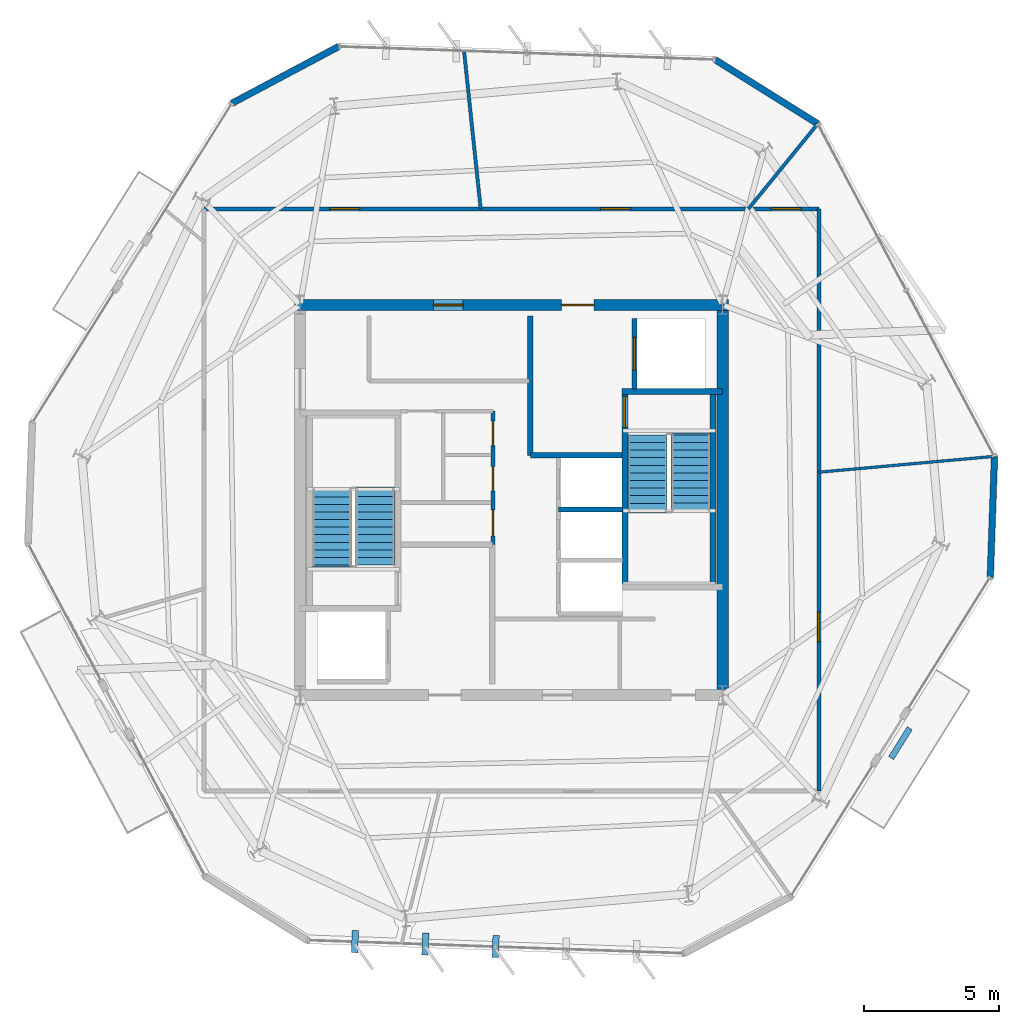
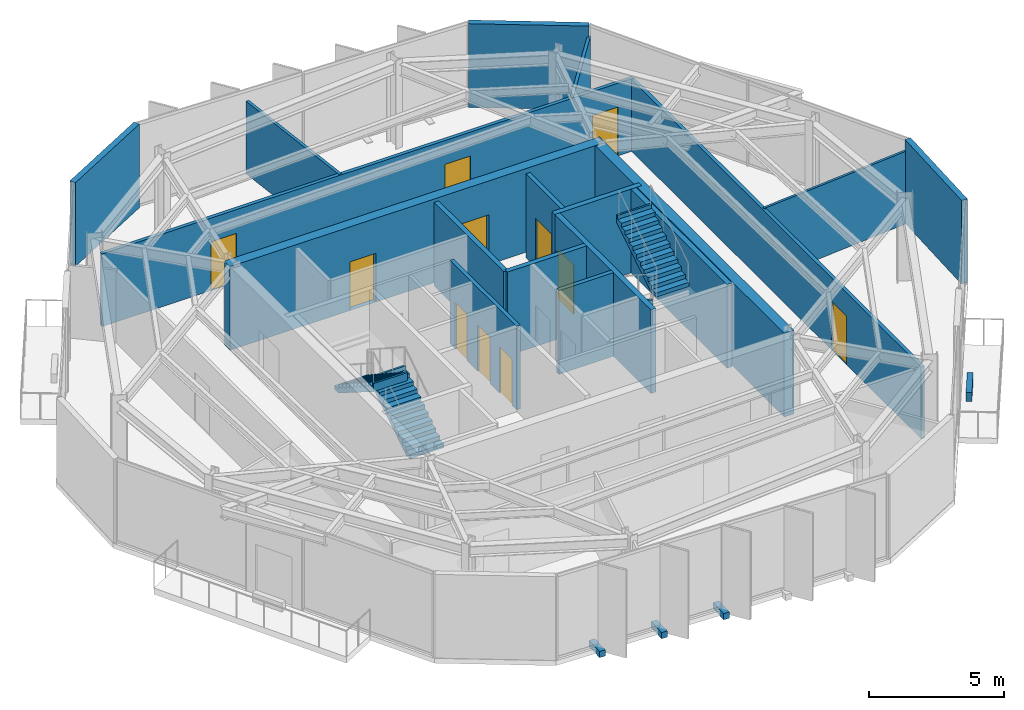
# One storey, part 8 of 12: 19 walls, 11 doors, 4 stair flights, 3 discrete accessories, 11 openings, 2 elements without a shape of their own.
"""IFC4 building model written with IfcOpenShell, lengths in metres."""

import ifcopenshell
import ifcopenshell.guid

model = None  # the IFC model being written
_history = None  # IfcOwnerHistory: only IFC2X3 demands one
_inside = {}  # id of a spatial element -> (the spatial element, [elements in it])
_under = {}  # id of a project, library or spatial element -> (it, [spatial elements below it])
_declared = {}  # id of a project -> (the project, [libraries it declares])
_typed = {}  # id of a type object -> (the type object, [elements of that type])
_made_of = {}  # id of a material, layer set ... -> (it, [elements and type objects made of it])


def new_model(schema):
    """Start an empty IFC model of exactly this schema.

    Asked for "IFC4X3", IfcOpenShell would pick the latest addendum, in which some entities
    have other attributes; the version numbers below select the first issue.
    IFC2X3 requires an IfcOwnerHistory on every rooted entity: one is made here for all.
    """
    global model, _history
    if schema == "IFC4X3":
        model = ifcopenshell.file(schema_version=(4, 3, 0, 0))
    else:
        model = ifcopenshell.file(schema=schema)
    _inside.clear()
    _under.clear()
    _declared.clear()
    _typed.clear()
    _made_of.clear()
    _history = None
    if model.schema == "IFC2X3":
        org = make("IfcOrganization", Name="unknown")
        user = make(
            "IfcPersonAndOrganization",
            ThePerson=make("IfcPerson", FamilyName="unknown"),
            TheOrganization=org,
        )
        app = make(
            "IfcApplication",
            ApplicationDeveloper=org,
            Version="unknown",
            ApplicationFullName="unknown",
            ApplicationIdentifier="unknown",
        )
        _history = make(
            "IfcOwnerHistory",
            OwningUser=user,
            OwningApplication=app,
            ChangeAction="ADDED",
            CreationDate=0,
        )
    return model


def make(cls, **values):
    """One entity of the class cls with the attributes given. An attribute that is None is left unset."""
    return model.create_entity(
        cls, **{name: value for name, value in values.items() if value is not None}
    )


def rooted(cls, **values):
    """An entity with a GlobalId (a new one), such as an element, a storey or a relation."""
    return make(cls, GlobalId=ifcopenshell.guid.new(), OwnerHistory=_history, **values)


def si_unit(unit_type, name, prefix=None):
    """IfcSIUnit, for example si_unit("LENGTHUNIT", "METRE", prefix="MILLI")."""
    return make("IfcSIUnit", UnitType=unit_type, Prefix=prefix, Name=name)


def assignment(units):
    """IfcUnitAssignment: the units of a project."""
    return None if units is None else make("IfcUnitAssignment", Units=units)


def point(xyz):
    """IfcCartesianPoint."""
    return None if xyz is None else make("IfcCartesianPoint", Coordinates=xyz)


def direction(xyz):
    """IfcDirection."""
    return None if xyz is None else make("IfcDirection", DirectionRatios=xyz)


def frame(location, z_axis=None, x_axis=None):
    """IfcAxis2Placement3D, a coordinate frame: its origin and axes. An axis left out is left unset."""
    return make(
        "IfcAxis2Placement3D",
        Location=point(location),
        Axis=direction(z_axis),
        RefDirection=direction(x_axis),
    )


def frame_2d(location, x_axis=None):
    """IfcAxis2Placement2D, a coordinate frame in the plane: its origin and x axis."""
    return make(
        "IfcAxis2Placement2D", Location=point(location), RefDirection=direction(x_axis)
    )


def origin():
    """The frame at (0, 0, 0) with its axes left unset."""
    return frame((0.0, 0.0, 0.0))


def origin_2d():
    """The frame at (0, 0) in the plane with its x axis left unset."""
    return frame_2d((0.0, 0.0))


def place(relative_to, where):
    """IfcLocalPlacement: puts the frame where relative to a parent placement (None: the world)."""
    return make(
        "IfcLocalPlacement", PlacementRelTo=relative_to, RelativePlacement=where
    )


def context(
    kind, dimensions, precision=None, world=None, true_north=None, identifier=None
):
    """IfcGeometricRepresentationContext, for example the 3D "Model" context."""
    return make(
        "IfcGeometricRepresentationContext",
        ContextIdentifier=identifier,
        ContextType=kind,
        CoordinateSpaceDimension=dimensions,
        Precision=precision,
        WorldCoordinateSystem=world,
        TrueNorth=true_north,
    )


def subcontext(parent, identifier, kind, view, scale=None):
    """IfcGeometricRepresentationSubContext, for example "Body" below "Model"."""
    return make(
        "IfcGeometricRepresentationSubContext",
        ContextIdentifier=identifier,
        ContextType=kind,
        ParentContext=parent,
        TargetScale=scale,
        TargetView=view,
    )


def project(units=None, contexts=None):
    """IfcProject with its units and contexts."""
    return rooted(
        "IfcProject",
        Name="project",
        RepresentationContexts=contexts,
        UnitsInContext=assignment(units),
    )


def spatial(cls, under=None, at=None, **own):
    """A site, building, storey or space (cls), placed at a placement, below another one or the project."""
    s = rooted(cls, ObjectPlacement=at, **own)
    if under is not None:
        _under.setdefault(under.id(), (under, []))[1].append(s)
    return s


def polyline(points):
    """IfcPolyline through the points."""
    return make("IfcPolyline", Points=[point(p) for p in points])


def profile(cls, at=None, kind="AREA", **sizes):
    """A parametric profile (cls). Its sizes go by their IFC names, for example OverallWidth=200.0."""
    return make(cls, ProfileType=kind, Position=at, **sizes)


def rectangle(**sizes):
    """IfcRectangleProfileDef."""
    return profile("IfcRectangleProfileDef", **sizes)


def outline(outer, holes=None, kind="AREA"):
    """IfcArbitraryClosedProfileDef: a profile drawn as a closed curve; with holes, ...WithVoids."""
    if holes is None:
        return make("IfcArbitraryClosedProfileDef", ProfileType=kind, OuterCurve=outer)
    return make(
        "IfcArbitraryProfileDefWithVoids",
        ProfileType=kind,
        OuterCurve=outer,
        InnerCurves=holes,
    )


def extrude(swept, where, along, depth):
    """IfcExtrudedAreaSolid: the profile swept, set in the frame where, extruded along a direction by depth."""
    return make(
        "IfcExtrudedAreaSolid",
        SweptArea=swept,
        Position=where,
        ExtrudedDirection=direction(along),
        Depth=depth,
    )


def shape(context_of_items, identifier, shape_type, items):
    """IfcShapeRepresentation: the items that make up one representation, for example the "Body"."""
    return make(
        "IfcShapeRepresentation",
        ContextOfItems=context_of_items,
        RepresentationIdentifier=identifier,
        RepresentationType=shape_type,
        Items=items,
    )


def material(Name=None, Category=None):
    """IfcMaterial."""
    return make("IfcMaterial", Name=Name, Category=Category)


def layer(
    of_material, thickness, ventilated=None, Name=None, Category=None, Priority=None
):
    """IfcMaterialLayer: one layer of a wall or slab, of a material (None: an air gap)."""
    return make(
        "IfcMaterialLayer",
        Material=of_material,
        LayerThickness=thickness,
        IsVentilated=ventilated,
        Name=Name,
        Category=Category,
        Priority=Priority,
    )


def layer_set(layers, Name=None):
    """IfcMaterialLayerSet."""
    return make("IfcMaterialLayerSet", MaterialLayers=layers, LayerSetName=Name)


def made_of(thing, what):
    """Note that an element or type object is made of a material, layer set ...; save() writes the relation."""
    if what is not None:
        _made_of.setdefault(what.id(), (what, []))[1].append(thing)
    return thing


def type_object(cls, material=None, **own):
    """A type object (cls), such as IfcWallType, which elements share."""
    return made_of(rooted(cls, **own), material)


def element(
    cls,
    number,
    at=None,
    inside=None,
    cuts=None,
    type_object=None,
    material=None,
    context=None,
    identifier="Body",
    shape_type=None,
    held_by="IfcProductDefinitionShape",
    body=None,
    shapes=None,
    **own,
):
    """One element of the class cls, such as IfcWall. Its Tag is "e" and its number.

    at: its placement. inside: the storey or other place that contains it. cuts: it is an
    opening in that element (IfcRelVoidsElement). A single representation is given by context,
    identifier, shape_type and body (its items); several are given by shapes. held_by: the class
    of the entity that holds the representations. save() writes the other relations.
    """
    e = rooted(cls, Tag="e%d" % number, ObjectPlacement=at, **own)
    if body is not None:
        shapes = [shape(context, identifier, shape_type, body)]
    if shapes is not None:
        e.Representation = make(held_by, Representations=shapes)
    if inside is not None:
        _inside.setdefault(inside.id(), (inside, []))[1].append(e)
    if cuts is not None:
        rooted(
            "IfcRelVoidsElement", RelatingBuildingElement=cuts, RelatedOpeningElement=e
        )
    if type_object is not None:
        _typed.setdefault(type_object.id(), (type_object, []))[1].append(e)
    return made_of(e, material)


def fill(opening, filler):
    """IfcRelFillsElement: the door or window that sits in an opening."""
    return rooted(
        "IfcRelFillsElement",
        RelatingOpeningElement=opening,
        RelatedBuildingElement=filler,
    )


def aggregate(whole, parts):
    """IfcRelAggregates: a whole, such as a stair, and the parts it consists of."""
    return rooted("IfcRelAggregates", RelatingObject=whole, RelatedObjects=parts)


def save(model, path):
    """Write the relations noted so far, then the file.

    IfcRelAggregates (storeys below a building ...), IfcRelContainedInSpatialStructure (elements
    in a storey), IfcRelDefinesByType, IfcRelAssociatesMaterial and IfcRelDeclares: one each for
    every whole, place, type object, material and project.
    """
    for whole, parts in _under.values():
        aggregate(whole, parts)
    for where, things in _inside.values():
        rooted(
            "IfcRelContainedInSpatialStructure",
            RelatedElements=things,
            RelatingStructure=where,
        )
    for kind, things in _typed.values():
        rooted("IfcRelDefinesByType", RelatedObjects=things, RelatingType=kind)
    for what, things in _made_of.values():
        rooted("IfcRelAssociatesMaterial", RelatedObjects=things, RelatingMaterial=what)
    for by, libraries in _declared.values():
        rooted("IfcRelDeclares", RelatingContext=by, RelatedDefinitions=libraries)
    model.write(path)


model = new_model("IFC4")

# Units and contexts
model_context = context("Model", 3, precision=1e-05, world=origin(), true_north=direction((0.0, 1.0)))
body_context = subcontext(model_context, "Body", "Model", "MODEL_VIEW")
ifc_project = project(units=[si_unit("LENGTHUNIT", "METRE"), si_unit("AREAUNIT", "SQUARE_METRE"), si_unit("VOLUMEUNIT", "CUBIC_METRE"), si_unit("PLANEANGLEUNIT", "RADIAN"), si_unit("MASSUNIT", "GRAM", prefix="KILO")], contexts=[model_context])

# Site, building, storey
site_placement = place(None, origin())
site = spatial("IfcSite", under=ifc_project, at=site_placement, CompositionType="ELEMENT")
building_placement = place(site_placement, origin())
building = spatial("IfcBuilding", under=site, at=building_placement, Name="Kranzbogen Civic Tower", CompositionType="ELEMENT")
storey_placement = place(building_placement, frame((0.0, 0.0, 258.199951171875)))
storey = spatial("IfcBuildingStorey", under=building, at=storey_placement, Name="L62", CompositionType="ELEMENT", Elevation=258.199951171875)

# Wall, openings, doors
ifc_material_1 = material(Name="Double-Stud Acoustic Gypsum Partition")
ifc_layer_1 = layer(ifc_material_1, 0.14990234375, Name="Double-Stud Acoustic Gypsum Partition")
ifc_layer_set_1 = layer_set([ifc_layer_1], Name="Double-Stud Acoustic Gypsum Partition")
wall_type_1 = type_object("IfcWallType", Name="Acoustic Corridor and Clinical Partition 150 mm", PredefinedType="PARTITIONING", material=ifc_layer_set_1)
wall_1_placement = place(storey_placement, frame((13.64990234375, 35.75, 0.0), z_axis=(0.0, 0.0, 1.0), x_axis=(1.0, 0.0, 0.0)))
wall_1 = element("IfcWall", 1, at=wall_1_placement, inside=storey, type_object=wall_type_1, Name="L62 corridor partition 01", PredefinedType="PARTITIONING", context=body_context, shape_type="SweptSolid", body=[
    extrude(rectangle(XDim=22.7001953125, YDim=0.14990234375, at=frame_2d((11.35009765625, 0.0))), origin(), (0.0, 0.0, 1.0), 3.280029296875),
])
opening_1_placement = place(wall_1_placement, frame((20.949951171875, 0.0, 0.0)))
opening_1 = element("IfcOpeningElement", 2, at=opening_1_placement, cuts=wall_1, Name="Opening D-COR60", PredefinedType="OPENING", context=body_context, shape_type="SweptSolid", body=[
    extrude(rectangle(XDim=1.10009765625, YDim=2.199951171875, at=frame_2d((0.550048828125, 1.10009765625))), frame((0.0, 0.0849609375, 0.0), z_axis=(0.0, -1.0, 0.0), x_axis=(1.0, 0.0, 0.0)), (0.0, 0.0, 1.0), 0.169921875),
])
opening_2_placement = place(wall_1_placement, frame((14.64404296875, 0.0, 0.0)))
opening_2 = element("IfcOpeningElement", 3, at=opening_2_placement, cuts=wall_1, Name="Opening D-COR60", PredefinedType="OPENING", context=body_context, shape_type="SweptSolid", body=[
    extrude(rectangle(XDim=1.10009765625, YDim=2.199951171875, at=frame_2d((0.550048828125, 1.10009765625))), frame((0.0, 0.0849609375, 0.0), z_axis=(0.0, -1.0, 0.0), x_axis=(1.0, 0.0, 0.0)), (0.0, 0.0, 1.0), 0.169921875),
])
opening_3_placement = place(wall_1_placement, frame((4.64892578125, 0.0, 0.0)))
opening_3 = element("IfcOpeningElement", 4, at=opening_3_placement, cuts=wall_1, Name="Opening D-COR60", PredefinedType="OPENING", context=body_context, shape_type="SweptSolid", body=[
    extrude(rectangle(XDim=1.10009765625, YDim=2.199951171875, at=frame_2d((0.550048828125, 1.10009765625))), frame((0.0, 0.0849609375, 0.0), z_axis=(0.0, -1.0, 0.0), x_axis=(1.0, 0.0, 0.0)), (0.0, 0.0, 1.0), 0.169921875),
])
ifc_material_2 = material(Name="Oak Timber and Fire Core", Category="wood")
door_type_1 = type_object("IfcDoorType", Name="Corridor Acoustic Fire Door 1100x2200", OperationType="NOTDEFINED", PredefinedType="DOOR", material=ifc_material_2)
door_1_placement = place(opening_1_placement, origin())
door_1 = element("IfcDoor", 5, at=door_1_placement, inside=storey, type_object=door_type_1, Name="L62 Staff Tea Pantry door", OperationType="SINGLE_SWING_LEFT", OverallHeight=2.199951171875, OverallWidth=1.10009765625, PredefinedType="DOOR", context=body_context, shape_type="SweptSolid", body=[
    extrude(rectangle(XDim=1.10009765625, YDim=2.199951171875, at=frame_2d((0.550048828125, 1.10009765625))), frame((0.0, 0.02490234375, 0.0), z_axis=(0.0, -1.0, 0.0), x_axis=(1.0, 0.0, 0.0)), (0.0, 0.0, 1.0), 0.050048828125),
])
fill(opening_1, door_1)
door_2_placement = place(opening_2_placement, origin())
door_2 = element("IfcDoor", 6, at=door_2_placement, inside=storey, type_object=door_type_1, Name="L62 Hospitality Catering Kitchen door", OperationType="SINGLE_SWING_RIGHT", OverallHeight=2.199951171875, OverallWidth=1.10009765625, PredefinedType="DOOR", context=body_context, shape_type="SweptSolid", body=[
    extrude(rectangle(XDim=1.10009765625, YDim=2.199951171875, at=frame_2d((0.550048828125, 1.10009765625))), frame((0.0, 0.02490234375, 0.0), z_axis=(0.0, -1.0, 0.0), x_axis=(1.0, 0.0, 0.0)), (0.0, 0.0, 1.0), 0.050048828125),
])
fill(opening_2, door_2)
door_3_placement = place(opening_3_placement, origin())
door_3 = element("IfcDoor", 7, at=door_3_placement, inside=storey, type_object=door_type_1, Name="L62 Refreshment Galley Pantry door", OperationType="SINGLE_SWING_LEFT", OverallHeight=2.199951171875, OverallWidth=1.10009765625, PredefinedType="DOOR", context=body_context, shape_type="SweptSolid", body=[
    extrude(rectangle(XDim=1.10009765625, YDim=2.199951171875, at=frame_2d((0.550048828125, 1.10009765625))), frame((0.0, 0.02490234375, 0.0), z_axis=(0.0, -1.0, 0.0), x_axis=(1.0, 0.0, 0.0)), (0.0, 0.0, 1.0), 0.050048828125),
])
fill(opening_3, door_3)

# Wall, opening, door
wall_2_placement = place(storey_placement, frame((36.35009765625, 35.75, 0.0), z_axis=(0.0, 0.0, 1.0), x_axis=(0.0, -1.0, 0.0)))
wall_2 = element("IfcWall", 8, at=wall_2_placement, inside=storey, type_object=wall_type_1, Name="L62 corridor partition 02", PredefinedType="PARTITIONING", context=body_context, shape_type="SweptSolid", body=[
    extrude(rectangle(XDim=21.5, YDim=0.14990234375, at=frame_2d((10.75, 0.0))), origin(), (0.0, 0.0, 1.0), 3.25),
])
opening_4_placement = place(wall_2_placement, frame((14.8759765625, 0.0, 0.0)))
opening_4 = element("IfcOpeningElement", 9, at=opening_4_placement, cuts=wall_2, Name="Opening D-COR60", PredefinedType="OPENING", context=body_context, shape_type="SweptSolid", body=[
    extrude(rectangle(XDim=1.10009765625, YDim=2.199951171875, at=frame_2d((0.550048828125, 1.10009765625))), frame((0.0, 0.0849609375, 0.0), z_axis=(0.0, -1.0, 0.0), x_axis=(1.0, 0.0, 0.0)), (0.0, 0.0, 1.0), 0.169921875),
])
door_4_placement = place(opening_4_placement, origin())
door_4 = element("IfcDoor", 10, at=door_4_placement, inside=storey, type_object=door_type_1, Name="L62 Protocol Entrance Reception door", OperationType="SINGLE_SWING_RIGHT", OverallHeight=2.199951171875, OverallWidth=1.10009765625, PredefinedType="DOOR", context=body_context, shape_type="SweptSolid", body=[
    extrude(rectangle(XDim=1.10009765625, YDim=2.199951171875, at=frame_2d((0.550048828125, 1.10009765625))), frame((0.0, 0.02490234375, 0.0), z_axis=(0.0, -1.0, 0.0), x_axis=(1.0, 0.0, 0.0)), (0.0, 0.0, 1.0), 0.050048828125),
])
fill(opening_4, door_4)

# Walls
ifc_material_3 = material(Name="Insulated Metal-Stud Gypsum Partition")
ifc_layer_2 = layer(ifc_material_3, 0.125, Name="Insulated Metal-Stud Gypsum Partition")
ifc_layer_set_2 = layer_set([ifc_layer_2], Name="Insulated Metal-Stud Gypsum Partition")
wall_type_2 = type_object("IfcWallType", Name="Acoustic Inter-Room Partition 125 mm", PredefinedType="PARTITIONING", material=ifc_layer_set_2)
wall_3_placement = place(storey_placement, frame((23.868896484375, 35.75, 0.0), z_axis=(0.0, 0.0, 1.0), x_axis=(-0.104723940422, 0.994501330468, 0.0)))
element("IfcWall", 11, at=wall_3_placement, inside=storey, type_object=wall_type_2, Name="L62 radial room partition 01", PredefinedType="PARTITIONING", context=body_context, shape_type="SweptSolid", body=[
    extrude(rectangle(XDim=5.84228515625, YDim=0.125, at=frame_2d((2.921142578125, 0.0))), origin(), (0.0, 0.0, 1.0), 3.280029296875),
])
wall_4_placement = place(storey_placement, frame((33.756103515625, 35.75, 0.0), z_axis=(0.0, 0.0, 1.0), x_axis=(0.631532584773, 0.775349336989, 0.0)))
element("IfcWall", 12, at=wall_4_placement, inside=storey, type_object=wall_type_2, Name="L62 radial room partition 07", PredefinedType="PARTITIONING", context=body_context, shape_type="SweptSolid", body=[
    extrude(rectangle(XDim=4.026611328125, YDim=0.125, at=frame_2d((2.01318359375, 0.0))), origin(), (0.0, 0.0, 1.0), 3.280029296875),
])
ifc_material_4 = material(Name="Architectural Precast Terracotta Concrete C40/50", Category="masonry")
ifc_layer_3 = layer(ifc_material_4, 0.219970703125, Name="Architectural Precast Terracotta Concrete C40/50")
ifc_layer_set_3 = layer_set([ifc_layer_3], Name="Architectural Precast Terracotta Concrete C40/50")
wall_type_3 = type_object("IfcWallType", Name="Architectural Tree Planter Kerb Wall 220 mm", PredefinedType="USERDEFINED", material=ifc_layer_set_3)
wall_5_placement = place(storey_placement, frame((39.02001953125, 15.472900390625, 0.0), z_axis=(0.0, 0.0, 1.0), x_axis=(0.52955968417, 0.848272680747, 0.0)))
element("IfcWall", 13, at=wall_5_placement, inside=storey, type_object=wall_type_3, Name="L62 landscaped tree balcony planter L62-TB1", ObjectType="PLANTER_WALL", PredefinedType="USERDEFINED", context=body_context, shape_type="SweptSolid", body=[
    extrude(rectangle(XDim=1.299072265625, YDim=0.219970703125, at=frame_2d((0.6494140625, 0.0))), origin(), (0.0, 0.0, 1.0), 0.400146484375),
])

# Wall, openings, doors
ifc_material_5 = material(Name="Concrete C45/55", Category="concrete")
ifc_layer_4 = layer(ifc_material_5, 0.419921875, Name="Concrete C45/55")
ifc_layer_set_4 = layer_set([ifc_layer_4], Name="Concrete C45/55")
wall_type_4 = type_object("IfcWallType", Name="Central Core Shear Wall 420 mm", PredefinedType="SHEAR", material=ifc_layer_set_4)
wall_6_placement = place(storey_placement, frame((33.010009765625, 32.199951171875, 0.0), z_axis=(0.0, 0.0, 1.0), x_axis=(-1.0, 0.0, 0.0)))
wall_6 = element("IfcWall", 14, at=wall_6_placement, inside=storey, type_object=wall_type_4, Name="L62 central core North shear wall", PredefinedType="SHEAR", context=body_context, shape_type="SweptSolid", body=[
    extrude(rectangle(XDim=16.02001953125, YDim=0.419921875, at=frame_2d((8.010009765625, 0.0))), origin(), (0.0, 0.0, 1.0), 3.780029296875),
])
opening_5_placement = place(wall_6_placement, frame((4.9599609375, 0.0, 0.0)))
opening_5 = element("IfcOpeningElement", 15, at=opening_5_placement, cuts=wall_6, Name="Opening D-EX120", PredefinedType="OPENING", context=body_context, shape_type="SweptSolid", body=[
    extrude(rectangle(XDim=1.199951171875, YDim=2.25, at=frame_2d((0.60009765625, 1.125))), frame((0.0, 0.219970703125, 0.0), z_axis=(0.0, -1.0, 0.0), x_axis=(1.0, 0.0, 0.0)), (0.0, 0.0, 1.0), 0.43994140625),
])
opening_6_placement = place(wall_6_placement, frame((9.784912109375, 0.0, 0.0)))
opening_6 = element("IfcOpeningElement", 16, at=opening_6_placement, cuts=wall_6, Name="Opening D-COR60", PredefinedType="OPENING", context=body_context, shape_type="SweptSolid", body=[
    extrude(rectangle(XDim=1.10009765625, YDim=2.199951171875, at=frame_2d((0.550048828125, 1.10009765625))), frame((0.0, 0.219970703125, 0.0), z_axis=(0.0, -1.0, 0.0), x_axis=(1.0, 0.0, 0.0)), (0.0, 0.0, 1.0), 0.43994140625),
])
door_5_placement = place(opening_6_placement, origin())
door_5 = element("IfcDoor", 17, at=door_5_placement, inside=storey, type_object=door_type_1, Name="L62 DAT1 comms room door", OperationType="SINGLE_SWING_LEFT", OverallHeight=2.199951171875, OverallWidth=1.10009765625, PredefinedType="DOOR", context=body_context, shape_type="SweptSolid", body=[
    extrude(rectangle(XDim=1.10009765625, YDim=2.199951171875, at=frame_2d((0.550048828125, 1.10009765625))), frame((0.0, 0.02490234375, 0.0), z_axis=(0.0, -1.0, 0.0), x_axis=(1.0, 0.0, 0.0)), (0.0, 0.0, 1.0), 0.050048828125),
])
fill(opening_6, door_5)
ifc_material_6 = material(Name="Steel S355", Category="steel")
door_type_2 = type_object("IfcDoorType", Name="Exit Passageway Fire Door 1200x2250", OperationType="NOTDEFINED", PredefinedType="DOOR", material=ifc_material_6)
door_6_placement = place(opening_5_placement, origin())
door_6 = element("IfcDoor", 18, at=door_6_placement, inside=storey, type_object=door_type_2, Name="L62 East firefighting lobby corridor door", OperationType="SINGLE_SWING_RIGHT", OverallHeight=2.25, OverallWidth=1.199951171875, PredefinedType="DOOR", context=body_context, shape_type="SweptSolid", body=[
    extrude(rectangle(XDim=1.199951171875, YDim=2.25, at=frame_2d((0.60009765625, 1.125))), frame((0.0, 0.02490234375, 0.0), z_axis=(0.0, -1.0, 0.0), x_axis=(1.0, 0.0, 0.0)), (0.0, 0.0, 1.0), 0.050048828125),
])
fill(opening_5, door_6)

# Wall
wall_7_placement = place(storey_placement, frame((32.800048828125, 18.010009765625, 0.0), z_axis=(0.0, 0.0, 1.0), x_axis=(0.0, 1.0, 0.0)))
element("IfcWall", 19, at=wall_7_placement, inside=storey, type_object=wall_type_4, Name="L62 central core East shear wall", PredefinedType="SHEAR", context=body_context, shape_type="SweptSolid", body=[
    extrude(rectangle(XDim=13.97998046875, YDim=0.419921875, at=frame_2d((6.989990234375, 0.0))), origin(), (0.0, 0.0, 1.0), 3.780029296875),
])

# Wall, opening, door
ifc_layer_5 = layer(ifc_material_5, 0.219970703125, Name="Concrete C45/55")
ifc_layer_set_5 = layer_set([ifc_layer_5], Name="Concrete C45/55")
wall_type_5 = type_object("IfcWallType", Name="Core Internal Stair Structural Wall 220 mm", PredefinedType="SOLIDWALL", material=ifc_layer_set_5)
wall_8_placement = place(storey_placement, frame((29.18994140625, 21.7900390625, 0.0), z_axis=(0.0, 0.0, 1.0), x_axis=(0.0, 1.0, 0.0)))
wall_8 = element("IfcWall", 20, at=wall_8_placement, inside=storey, type_object=wall_type_5, Name="L62 ST-T2 West structural stair wall", PredefinedType="SOLIDWALL", context=body_context, shape_type="SweptSolid", body=[
    extrude(rectangle(XDim=7.219970703125, YDim=0.219970703125, at=frame_2d((3.60986328125, 0.0))), origin(), (0.0, 0.0, 1.0), 3.780029296875),
])
opening_7_placement = place(wall_8_placement, frame((5.8798828125, 0.0, 0.0)))
opening_7 = element("IfcOpeningElement", 21, at=opening_7_placement, cuts=wall_8, Name="Opening D-ST90", PredefinedType="OPENING", context=body_context, shape_type="SweptSolid", body=[
    extrude(rectangle(XDim=1.14990234375, YDim=2.199951171875, at=frame_2d((0.574951171875, 1.10009765625))), frame((0.0, 0.1201171875, 0.0), z_axis=(0.0, -1.0, 0.0), x_axis=(1.0, 0.0, 0.0)), (0.0, 0.0, 1.0), 0.239990234375),
])
door_type_3 = type_object("IfcDoorType", Name="Pressurized Stair and Lobby Fire Door 1150x2200", OperationType="NOTDEFINED", PredefinedType="DOOR", material=ifc_material_6)
door_7_placement = place(opening_7_placement, origin())
door_7 = element("IfcDoor", 22, at=door_7_placement, inside=storey, type_object=door_type_3, Name="L62 Stair ST-T2 fire door", OperationType="SINGLE_SWING_RIGHT", OverallHeight=2.199951171875, OverallWidth=1.14990234375, PredefinedType="DOOR", context=body_context, shape_type="SweptSolid", body=[
    extrude(rectangle(XDim=1.14990234375, YDim=2.199951171875, at=frame_2d((0.574951171875, 1.10009765625))), frame((0.0, 0.02490234375, 0.0), z_axis=(0.0, -1.0, 0.0), x_axis=(1.0, 0.0, 0.0)), (0.0, 0.0, 1.0), 0.050048828125),
])
fill(opening_7, door_7)

# Walls
wall_9_placement = place(storey_placement, frame((29.080078125, 29.010009765625, 0.0), z_axis=(0.0, 0.0, 1.0), x_axis=(1.0, 0.0, 0.0)))
element("IfcWall", 23, at=wall_9_placement, inside=storey, type_object=wall_type_5, Name="L62 ST-T2 North structural stair wall", PredefinedType="SOLIDWALL", context=body_context, shape_type="SweptSolid", body=[
    extrude(rectangle(XDim=3.719970703125, YDim=0.219970703125, at=frame_2d((1.85986328125, 0.0))), origin(), (0.0, 0.0, 1.0), 3.780029296875),
])
wall_10_placement = place(storey_placement, frame((32.445068359375, 29.010009765625, 0.0), z_axis=(0.0, 0.0, 1.0), x_axis=(0.0, -1.0, 0.0)))
element("IfcWall", 24, at=wall_10_placement, inside=storey, type_object=wall_type_5, Name="L62 ST-T2 East structural stair wall", PredefinedType="SOLIDWALL", context=body_context, shape_type="SweptSolid", body=[
    extrude(rectangle(XDim=7.219970703125, YDim=0.219970703125, at=frame_2d((3.60986328125, 0.0))), origin(), (0.0, 0.0, 1.0), 3.780029296875),
])
ifc_material_7 = material(Name="Demountable Aluminium and Gypsum Partition", Category="aluminium")
ifc_layer_6 = layer(ifc_material_7, 0.10009765625, Name="Demountable Aluminium and Gypsum Partition")
ifc_layer_set_6 = layer_set([ifc_layer_6], Name="Demountable Aluminium and Gypsum Partition")
wall_type_6 = type_object("IfcWallType", Name="Demountable Office Partition 100 mm", PredefinedType="MOVABLE", material=ifc_layer_set_6)
wall_11_placement = place(storey_placement, frame((36.35009765625, 26.02490234375, 0.0), z_axis=(0.0, 0.0, 1.0), x_axis=(0.995931939697, 0.09010866491, 0.0)))
element("IfcWall", 25, at=wall_11_placement, inside=storey, type_object=wall_type_6, Name="L62 radial room partition 06", PredefinedType="MOVABLE", context=body_context, shape_type="SweptSolid", body=[
    extrude(rectangle(XDim=6.494384765625, YDim=0.10009765625, at=frame_2d((3.2470703125, 0.0))), origin(), (0.0, 0.0, 1.0), 3.280029296875),
])
ifc_material_8 = material(Name="Gypsum Fireboard and Concrete Block", Category="concrete")
ifc_layer_7 = layer(ifc_material_8, 0.199951171875, Name="Gypsum Fireboard and Concrete Block")
ifc_layer_set_7 = layer_set([ifc_layer_7], Name="Gypsum Fireboard and Concrete Block")
wall_type_7 = type_object("IfcWallType", Name="Fire-Rated Exit Passageway and Stair Wall 200 mm", PredefinedType="PARTITIONING", material=ifc_layer_set_7)
wall_12_placement = place(storey_placement, frame((25.699951171875, 26.64990234375, 0.0), z_axis=(0.0, 0.0, 1.0), x_axis=(0.0, 1.0, 0.0)))
element("IfcWall", 26, at=wall_12_placement, inside=storey, type_object=wall_type_7, Name="L62 East firefighting lobby West wall", PredefinedType="PARTITIONING", context=body_context, shape_type="SweptSolid", body=[
    extrude(rectangle(XDim=5.150146484375, YDim=0.199951171875, at=frame_2d((2.5751953125, 0.0))), origin(), (0.0, 0.0, 1.0), 3.780029296875),
])
wall_13_placement = place(storey_placement, frame((25.699951171875, 26.64990234375, 0.0), z_axis=(0.0, 0.0, 1.0), x_axis=(1.0, 0.0, 0.0)))
element("IfcWall", 27, at=wall_13_placement, inside=storey, type_object=wall_type_7, Name="L62 East firefighting lobby South wall", PredefinedType="PARTITIONING", context=body_context, shape_type="SweptSolid", body=[
    extrude(rectangle(XDim=3.380126953125, YDim=0.199951171875, at=frame_2d((1.68994140625, 0.0))), origin(), (0.0, 0.0, 1.0), 3.780029296875),
])
ifc_material_9 = material(Name="Gypsum Fireboard Shaftliner")
ifc_layer_8 = layer(ifc_material_9, 0.175048828125, Name="Gypsum Fireboard Shaftliner")
ifc_layer_set_8 = layer_set([ifc_layer_8], Name="Gypsum Fireboard Shaftliner")
wall_type_8 = type_object("IfcWallType", Name="Fire-Rated Lift and Service Shaft Wall 175 mm", PredefinedType="PARTITIONING", material=ifc_layer_set_8)
wall_14_placement = place(storey_placement, frame((26.75, 24.64990234375, 0.0), z_axis=(0.0, 0.0, 1.0), x_axis=(1.0, 0.0, 0.0)))
element("IfcWall", 28, at=wall_14_placement, inside=storey, type_object=wall_type_8, Name="L62 lift HP-03 side wall", PredefinedType="PARTITIONING", context=body_context, shape_type="SweptSolid", body=[
    extrude(rectangle(XDim=2.35009765625, YDim=0.175048828125, at=frame_2d((1.175048828125, 0.0))), origin(), (0.0, 0.0, 1.0), 3.780029296875),
])

# Wall, opening, door
wall_15_placement = place(storey_placement, frame((29.550048828125, 29.10009765625, 0.0), z_axis=(0.0, 0.0, 1.0), x_axis=(0.0, 1.0, 0.0)))
wall_15 = element("IfcWall", 29, at=wall_15_placement, inside=storey, type_object=wall_type_8, Name="L62 lift FF-02 landing wall", PredefinedType="PARTITIONING", context=body_context, shape_type="SweptSolid", body=[
    extrude(rectangle(XDim=2.599853515625, YDim=0.175048828125, at=frame_2d((1.2998046875, 0.0))), origin(), (0.0, 0.0, 1.0), 3.780029296875),
])
opening_8_placement = place(wall_15_placement, frame((0.699951171875, 0.0, 0.0)))
opening_8 = element("IfcOpeningElement", 30, at=opening_8_placement, cuts=wall_15, Name="Opening LD-FF-02", PredefinedType="OPENING", context=body_context, shape_type="SweptSolid", body=[
    extrude(rectangle(XDim=1.199951171875, YDim=2.199951171875, at=frame_2d((0.60009765625, 1.10009765625))), frame((0.0, 0.09765625, 0.0), z_axis=(0.0, -1.0, 0.0), x_axis=(1.0, 0.0, 0.0)), (0.0, 0.0, 1.0), 0.195068359375),
])
ifc_material_10 = material(Name="Pale Anodised Aluminium", Category="aluminium")
door_type_4 = type_object("IfcDoorType", Name="Firefighting and Stretcher Lift Sliding Landing Door 1200x2200", OperationType="DOUBLE_DOOR_SLIDING", PredefinedType="DOOR", material=ifc_material_10)
door_8_placement = place(opening_8_placement, origin())
door_8 = element("IfcDoor", 31, at=door_8_placement, inside=storey, type_object=door_type_4, Name="L62 lift FF-02 sliding landing door", OperationType="DOUBLE_DOOR_SLIDING", OverallHeight=2.199951171875, OverallWidth=1.199951171875, PredefinedType="DOOR", context=body_context, shape_type="SweptSolid", body=[
    extrude(rectangle(XDim=1.199951171875, YDim=2.199951171875, at=frame_2d((0.60009765625, 1.10009765625))), frame((0.0, 0.02490234375, 0.0), z_axis=(0.0, -1.0, 0.0), x_axis=(1.0, 0.0, 0.0)), (0.0, 0.0, 1.0), 0.050048828125),
])
fill(opening_8, door_8)

# Walls
ifc_layer_9 = layer(ifc_material_10, 0.239990234375, Name="Pale Anodised Aluminium")
ifc_layer_set_9 = layer_set([ifc_layer_9], Name="Pale Anodised Aluminium")
wall_type_9 = type_object("IfcWallType", Name="Insulated Aluminium Facade Portal Wall 240 mm", PredefinedType="STANDARD", material=ifc_layer_set_9)
wall_16_placement = place(storey_placement, frame((18.62890625, 41.737060546875, 0.0), z_axis=(0.0, 0.0, 1.0), x_axis=(-0.88294715046, -0.469472394816, 0.0)))
element("IfcWall", 32, at=wall_16_placement, inside=storey, type_object=wall_type_9, Name="L62 chamfered corner facade spandrel 1", PredefinedType="STANDARD", context=body_context, shape_type="SweptSolid", body=[
    extrude(rectangle(XDim=4.46435546875, YDim=0.239990234375, at=frame_2d((2.232177734375, 0.0))), origin(), (0.0, 0.0, 1.0), 3.780029296875),
])
for number, where, z_axis, x_axis, name in (
    (33, (42.679931640625, 22.14794921875, 0.0), (0.0, 0.0, 1.0), (0.034932990029, 0.999389656844, 0.0), "L62 chamfered corner facade spandrel 5"),
    (34, (36.31005859375, 38.885009765625, 0.0), (0.0, 0.0, 1.0), (-0.847998304005, 0.529998940003, 0.0), "L62 chamfered corner facade spandrel 6"),
):
    element("IfcWall", number, at=place(storey_placement, frame(where, z_axis=z_axis, x_axis=x_axis)), inside=storey, type_object=wall_type_9, Name=name, PredefinedType="STANDARD", context=body_context, shape_type="SweptSolid", body=[
        extrude(rectangle(XDim=4.4658203125, YDim=0.239990234375, at=frame_2d((2.23291015625, 0.0))), origin(), (0.0, 0.0, 1.0), 3.780029296875),
    ])

# Wall, openings, doors
ifc_material_11 = material(Name="Moisture-Resistant Gypsum Assembly")
ifc_layer_10 = layer(ifc_material_11, 0.159912109375, Name="Moisture-Resistant Gypsum Assembly")
ifc_layer_set_10 = layer_set([ifc_layer_10], Name="Moisture-Resistant Gypsum Assembly")
wall_type_10 = type_object("IfcWallType", Name="Sanitary and Plumbing Wet Wall 160 mm", PredefinedType="PLUMBINGWALL", material=ifc_layer_set_10)
wall_17_placement = place(storey_placement, frame((24.324951171875, 23.35009765625, 0.0), z_axis=(0.0, 0.0, 1.0), x_axis=(0.0, 1.0, 0.0)))
wall_17 = element("IfcWall", 35, at=wall_17_placement, inside=storey, type_object=wall_type_10, Name="L62 core auxiliary East wall", PredefinedType="PLUMBINGWALL", context=body_context, shape_type="SweptSolid", body=[
    extrude(rectangle(XDim=4.929931640625, YDim=0.159912109375, at=frame_2d((2.46484375, 0.0))), origin(), (0.0, 0.0, 1.0), 3.780029296875),
])
opening_9_placement = place(wall_17_placement, frame((0.324951171875, 0.0, 0.0)))
opening_9 = element("IfcOpeningElement", 36, at=opening_9_placement, cuts=wall_17, Name="Opening D-AWC95", PredefinedType="OPENING", context=body_context, shape_type="SweptSolid", body=[
    extrude(rectangle(XDim=0.949951171875, YDim=2.10009765625, at=frame_2d((0.47509765625, 1.050048828125))), frame((0.0, 0.08984375, 0.0), z_axis=(0.0, -1.0, 0.0), x_axis=(1.0, 0.0, 0.0)), (0.0, 0.0, 1.0), 0.179931640625),
])
opening_10_placement = place(wall_17_placement, frame((1.985107421875, 0.0, 0.0)))
opening_10 = element("IfcOpeningElement", 37, at=opening_10_placement, cuts=wall_17, Name="Opening D-WC90", PredefinedType="OPENING", context=body_context, shape_type="SweptSolid", body=[
    extrude(rectangle(XDim=0.89990234375, YDim=2.10009765625, at=frame_2d((0.449951171875, 1.050048828125))), frame((0.0, 0.08984375, 0.0), z_axis=(0.0, -1.0, 0.0), x_axis=(1.0, 0.0, 0.0)), (0.0, 0.0, 1.0), 0.179931640625),
])
opening_11_placement = place(wall_17_placement, frame((3.659912109375, 0.0, 0.0)))
opening_11 = element("IfcOpeningElement", 38, at=opening_11_placement, cuts=wall_17, Name="Opening D-WC90", PredefinedType="OPENING", context=body_context, shape_type="SweptSolid", body=[
    extrude(rectangle(XDim=0.89990234375, YDim=2.10009765625, at=frame_2d((0.449951171875, 1.050048828125))), frame((0.0, 0.08984375, 0.0), z_axis=(0.0, -1.0, 0.0), x_axis=(1.0, 0.0, 0.0)), (0.0, 0.0, 1.0), 0.179931640625),
])
ifc_material_12 = material(Name="Moisture-Resistant Laminate")
door_type_5 = type_object("IfcDoorType", Name="Accessible Restroom Door 950x2100", OperationType="NOTDEFINED", PredefinedType="DOOR", material=ifc_material_12)
door_9_placement = place(opening_9_placement, origin())
door_9 = element("IfcDoor", 39, at=door_9_placement, inside=storey, type_object=door_type_5, Name="L62 Accessible Restroom door", OperationType="SINGLE_SWING_LEFT", OverallHeight=2.10009765625, OverallWidth=0.949951171875, PredefinedType="DOOR", context=body_context, shape_type="SweptSolid", body=[
    extrude(rectangle(XDim=0.949951171875, YDim=2.10009765625, at=frame_2d((0.47509765625, 1.050048828125))), frame((0.0, 0.02490234375, 0.0), z_axis=(0.0, -1.0, 0.0), x_axis=(1.0, 0.0, 0.0)), (0.0, 0.0, 1.0), 0.050048828125),
])
fill(opening_9, door_9)
door_type_6 = type_object("IfcDoorType", Name="Standard Restroom and Store Door 900x2100", OperationType="NOTDEFINED", PredefinedType="DOOR", material=ifc_material_12)
door_10_placement = place(opening_10_placement, origin())
door_10 = element("IfcDoor", 40, at=door_10_placement, inside=storey, type_object=door_type_6, Name="L62 Gender-Neutral Restroom door", OperationType="SINGLE_SWING_RIGHT", OverallHeight=2.10009765625, OverallWidth=0.89990234375, PredefinedType="DOOR", context=body_context, shape_type="SweptSolid", body=[
    extrude(rectangle(XDim=0.89990234375, YDim=2.10009765625, at=frame_2d((0.449951171875, 1.050048828125))), frame((0.0, 0.02490234375, 0.0), z_axis=(0.0, -1.0, 0.0), x_axis=(1.0, 0.0, 0.0)), (0.0, 0.0, 1.0), 0.050048828125),
])
fill(opening_10, door_10)
door_11_placement = place(opening_11_placement, origin())
door_11 = element("IfcDoor", 41, at=door_11_placement, inside=storey, type_object=door_type_6, Name="L62 Floor IT Patch Closet door", OperationType="SINGLE_SWING_LEFT", OverallHeight=2.10009765625, OverallWidth=0.89990234375, PredefinedType="DOOR", context=body_context, shape_type="SweptSolid", body=[
    extrude(rectangle(XDim=0.89990234375, YDim=2.10009765625, at=frame_2d((0.449951171875, 1.050048828125))), frame((0.0, 0.02490234375, 0.0), z_axis=(0.0, -1.0, 0.0), x_axis=(1.0, 0.0, 0.0)), (0.0, 0.0, 1.0), 0.050048828125),
])
fill(opening_11, door_11)

# Stair, stair flights
ifc_material_13 = material(Name="Precast concrete C40/50", Category="concrete")
stair_type_1 = type_object("IfcStairType", Name="Tower Core Pressurized Dogleg Stair 1450", PredefinedType="HALF_TURN_STAIR", material=ifc_material_13)
stair_1_placement = place(storey_placement, origin())
stair_1 = element("IfcStair", 42, at=stair_1_placement, inside=storey, type_object=stair_type_1, Name="L62 Tower Core Pressurized Stair 1", PredefinedType="HALF_TURN_STAIR")
stair_flight_type = type_object("IfcStairFlightType", Name="Precast Concrete Stair Flight R180", PredefinedType="STRAIGHT", material=ifc_material_13)
stair_flight_1_placement = place(storey_placement, frame((19.97509765625, 22.60009765625, 0.0), z_axis=(0.0, 0.0, 1.0), x_axis=(0.0, 1.0, 0.0)))
stair_flight_1 = element("IfcStairFlight", 43, at=stair_flight_1_placement, type_object=stair_flight_type, Name="ST-T1 flight 1", NumberOfRisers=11, NumberOfTreads=10, PredefinedType="STRAIGHT", RiserHeight=0.181818182, TreadLength=0.28, context=body_context, shape_type="SweptSolid", body=[
    extrude(outline(polyline([(0.0, 0.0), (0.0, 0.181884765625), (0.280029296875, 0.181884765625), (0.280029296875, 0.363525390625), (0.56005859375, 0.363525390625), (0.56005859375, 0.54541015625), (0.840087890625, 0.54541015625), (0.840087890625, 0.727294921875), (1.1201171875, 0.727294921875), (1.1201171875, 0.9091796875), (1.39990234375, 0.9091796875), (1.39990234375, 1.0908203125), (1.679931640625, 1.0908203125), (1.679931640625, 1.272705078125), (1.9599609375, 1.272705078125), (1.9599609375, 1.45458984375), (2.239990234375, 1.45458984375), (2.239990234375, 1.636474609375), (2.52001953125, 1.636474609375), (2.52001953125, 1.818115234375), (2.800048828125, 1.818115234375), (2.800048828125, 2.0), (2.880126953125, 2.0), (2.880126953125, 1.639404296875), (0.275146484375, 0.0), (0.0, 0.0)])), frame((0.0, 0.72509765625, 0.0), z_axis=(0.0, -1.0, 0.0), x_axis=(1.0, 0.0, 0.0)), (0.0, 0.0, 1.0), 1.449951171875),
])
stair_flight_2_placement = place(storey_placement, frame((18.375, 25.39990234375, 2.0), z_axis=(0.0, 0.0, 1.0), x_axis=(0.0, -1.0, 0.0)))
stair_flight_2 = element("IfcStairFlight", 44, at=stair_flight_2_placement, type_object=stair_flight_type, Name="ST-T1 flight 2", NumberOfRisers=11, NumberOfTreads=10, PredefinedType="STRAIGHT", RiserHeight=0.181818182, TreadLength=0.28, context=body_context, shape_type="SweptSolid", body=[
    extrude(outline(polyline([(0.0, 0.0), (0.0, 0.181884765625), (0.280029296875, 0.181884765625), (0.280029296875, 0.363525390625), (0.56005859375, 0.363525390625), (0.56005859375, 0.54541015625), (0.840087890625, 0.54541015625), (0.840087890625, 0.727294921875), (1.1201171875, 0.727294921875), (1.1201171875, 0.9091796875), (1.39990234375, 0.9091796875), (1.39990234375, 1.0908203125), (1.679931640625, 1.0908203125), (1.679931640625, 1.272705078125), (1.9599609375, 1.272705078125), (1.9599609375, 1.45458984375), (2.239990234375, 1.45458984375), (2.239990234375, 1.636474609375), (2.52001953125, 1.636474609375), (2.52001953125, 1.818115234375), (2.800048828125, 1.818115234375), (2.800048828125, 2.0), (2.880126953125, 2.0), (2.880126953125, 1.639404296875), (0.275146484375, 0.0), (0.0, 0.0)])), frame((0.0, 0.72509765625, 0.0), z_axis=(0.0, -1.0, 0.0), x_axis=(1.0, 0.0, 0.0)), (0.0, 0.0, 1.0), 1.449951171875),
])
aggregate(stair_1, [stair_flight_1, stair_flight_2])

stair_type_2 = type_object("IfcStairType", Name="Tower Core Secondary Dogleg Stair 1450", PredefinedType="HALF_TURN_STAIR", material=ifc_material_13)
stair_2_placement = place(storey_placement, origin())
stair_2 = element("IfcStair", 45, at=stair_2_placement, inside=storey, type_object=stair_type_2, Name="L62 Tower Core Pressurized Stair 2", PredefinedType="HALF_TURN_STAIR")
stair_flight_3_placement = place(storey_placement, frame((30.02490234375, 27.39990234375, 0.0), z_axis=(0.0, 0.0, 1.0), x_axis=(0.0, -1.0, 0.0)))
stair_flight_3 = element("IfcStairFlight", 46, at=stair_flight_3_placement, type_object=stair_flight_type, Name="ST-T2 flight 1", NumberOfRisers=11, NumberOfTreads=10, PredefinedType="STRAIGHT", RiserHeight=0.181818182, TreadLength=0.28, context=body_context, shape_type="SweptSolid", body=[
    extrude(outline(polyline([(0.0, 0.0), (0.0, 0.181884765625), (0.280029296875, 0.181884765625), (0.280029296875, 0.363525390625), (0.56005859375, 0.363525390625), (0.56005859375, 0.54541015625), (0.840087890625, 0.54541015625), (0.840087890625, 0.727294921875), (1.1201171875, 0.727294921875), (1.1201171875, 0.9091796875), (1.39990234375, 0.9091796875), (1.39990234375, 1.0908203125), (1.679931640625, 1.0908203125), (1.679931640625, 1.272705078125), (1.9599609375, 1.272705078125), (1.9599609375, 1.45458984375), (2.239990234375, 1.45458984375), (2.239990234375, 1.636474609375), (2.52001953125, 1.636474609375), (2.52001953125, 1.818115234375), (2.800048828125, 1.818115234375), (2.800048828125, 2.0), (2.880126953125, 2.0), (2.880126953125, 1.639404296875), (0.275146484375, 0.0), (0.0, 0.0)])), frame((0.0, 0.72509765625, 0.0), z_axis=(0.0, -1.0, 0.0), x_axis=(1.0, 0.0, 0.0)), (0.0, 0.0, 1.0), 1.449951171875),
])
stair_flight_4_placement = place(storey_placement, frame((31.625, 24.60009765625, 2.0), z_axis=(0.0, 0.0, 1.0), x_axis=(0.0, 1.0, 0.0)))
stair_flight_4 = element("IfcStairFlight", 47, at=stair_flight_4_placement, type_object=stair_flight_type, Name="ST-T2 flight 2", NumberOfRisers=11, NumberOfTreads=10, PredefinedType="STRAIGHT", RiserHeight=0.181818182, TreadLength=0.28, context=body_context, shape_type="SweptSolid", body=[
    extrude(outline(polyline([(0.0, 0.0), (0.0, 0.181884765625), (0.280029296875, 0.181884765625), (0.280029296875, 0.363525390625), (0.56005859375, 0.363525390625), (0.56005859375, 0.54541015625), (0.840087890625, 0.54541015625), (0.840087890625, 0.727294921875), (1.1201171875, 0.727294921875), (1.1201171875, 0.9091796875), (1.39990234375, 0.9091796875), (1.39990234375, 1.0908203125), (1.679931640625, 1.0908203125), (1.679931640625, 1.272705078125), (1.9599609375, 1.272705078125), (1.9599609375, 1.45458984375), (2.239990234375, 1.45458984375), (2.239990234375, 1.636474609375), (2.52001953125, 1.636474609375), (2.52001953125, 1.818115234375), (2.800048828125, 1.818115234375), (2.800048828125, 2.0), (2.880126953125, 2.0), (2.880126953125, 1.639404296875), (0.275146484375, 0.0), (0.0, 0.0)])), frame((0.0, 0.72509765625, 0.0), z_axis=(0.0, -1.0, 0.0), x_axis=(1.0, 0.0, 0.0)), (0.0, 0.0, 1.0), 1.449951171875),
])
aggregate(stair_2, [stair_flight_3, stair_flight_4])

# Discrete accessories
discrete_accessory_type = type_object("IfcDiscreteAccessoryType", Name="Structural Curtain-Wall Fin Support Bracket", PredefinedType="BRACKET", material=ifc_material_6)
for number, where, z_axis, x_axis, name in (
    (48, (19.22802734375, 8.697998046875, -0.25), (0.0, 0.0, 1.0), (-0.034899496703, -0.999390827019, 0.0), "L62 facade fin support bracket F4-1"),
    (49, (21.825927734375, 8.60693359375, -0.25), (0.0, 0.0, 1.0), (-0.034899496703, -0.999390827019, 0.0), "L62 facade fin support bracket F4-2"),
    (50, (24.424072265625, 8.51611328125, -0.25), (0.0, 0.0, 1.0), (-0.034899496703, -0.999390827019, 0.0), "L62 facade fin support bracket F4-3"),
):
    element("IfcDiscreteAccessory", number, at=place(storey_placement, frame(where, z_axis=z_axis, x_axis=x_axis)), inside=storey, type_object=discrete_accessory_type, Name=name, PredefinedType="BRACKET", context=body_context, shape_type="SweptSolid", body=[
        extrude(rectangle(XDim=0.820068359375, YDim=0.239990234375, at=origin_2d()), origin(), (0.0, 0.0, 1.0), 0.280029296875),
    ])

save(model, "model.ifc")
